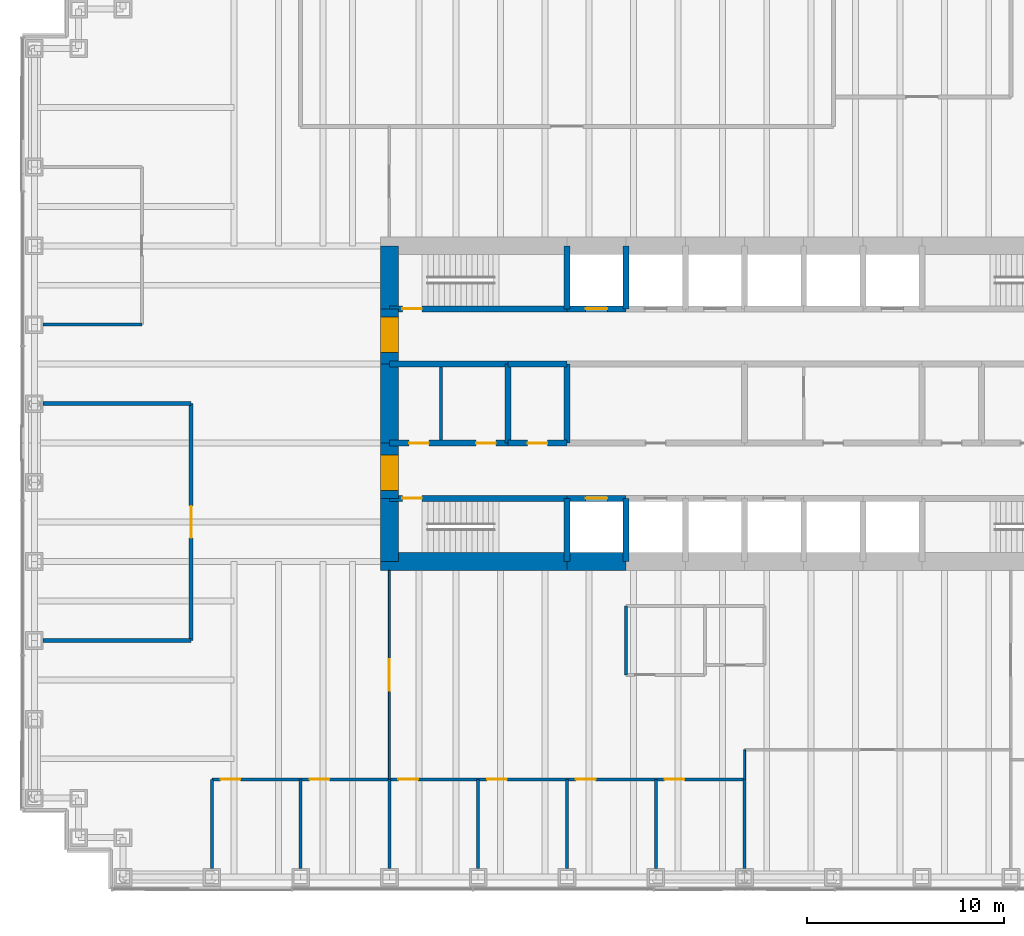
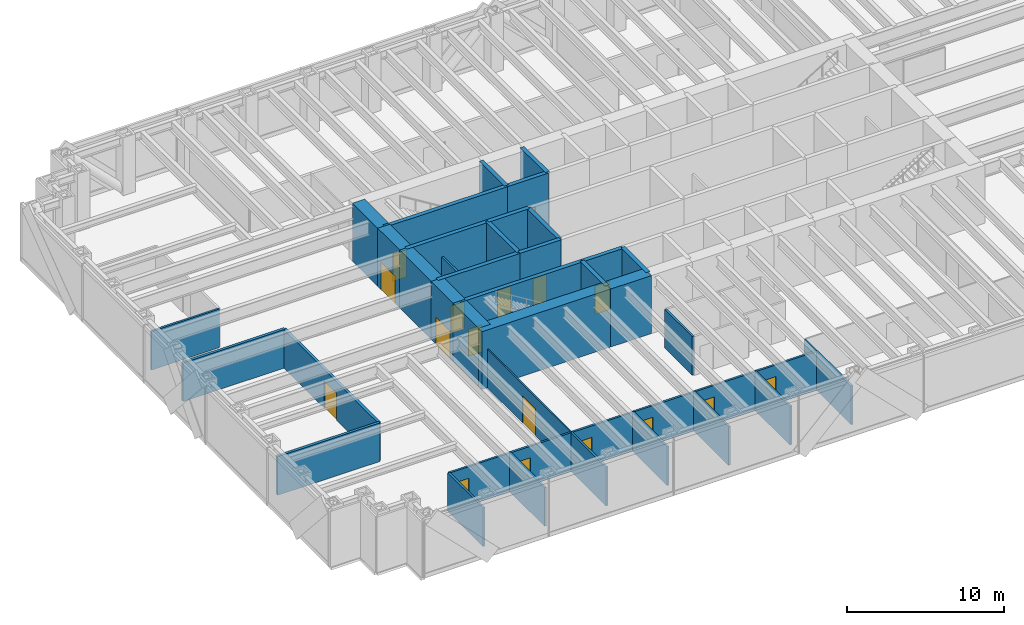
# One storey, part 9 of 13: 37 walls, 17 doors, 17 openings.
"""IFC4 building model written with IfcOpenShell, lengths in metres."""

from ifc_helpers import new_model, si_unit, direction, frame, frame_2d, origin, place, context, subcontext, project, spatial, rectangle, extrude, material, layer, layer_set, type_object, element, fill, save


model = new_model("IFC4")

# Units and contexts
model_context = context("Model", 3, precision=1e-05, world=origin(), true_north=direction((0.0, 1.0)))
body_context = subcontext(model_context, "Body", "Model", "MODEL_VIEW")
ifc_project = project(units=[si_unit("LENGTHUNIT", "METRE"), si_unit("AREAUNIT", "SQUARE_METRE"), si_unit("VOLUMEUNIT", "CUBIC_METRE"), si_unit("PLANEANGLEUNIT", "RADIAN"), si_unit("MASSUNIT", "GRAM", prefix="KILO")], contexts=[model_context])

# Site, building, storey
site_placement = place(None, origin())
site = spatial("IfcSite", under=ifc_project, at=site_placement, CompositionType="ELEMENT")
building_placement = place(site_placement, origin())
building = spatial("IfcBuilding", under=site, at=building_placement, Name="Rheinbord Bourse Tower", CompositionType="ELEMENT")
storey_placement = place(building_placement, frame((0.0, 0.0, 59.0)))
storey = spatial("IfcBuildingStorey", under=building, at=storey_placement, Name="L12", CompositionType="ELEMENT", Elevation=59.0)

# Walls
ifc_material_1 = material(Name="Acoustic gypsum board partition", Category="gypsum board")
ifc_layer_1 = layer(ifc_material_1, 0.199951171875)
ifc_layer_set_1 = layer_set([ifc_layer_1], Name="ACOUSTIC PARTITION 200")
wall_type_1 = type_object("IfcWallType", Name="ACOUSTIC PARTITION 200", PredefinedType="PARTITIONING", material=ifc_layer_set_1)
for number, where, z_axis, x_axis, name in (
    (1, (0.449951171875, 12.0, 0.0), (0.0, 0.0, 1.0), (1.0, 0.0, 0.0), "Partition L12-07"),
    (2, (0.449951171875, 24.0, 0.0), (0.0, 0.0, 1.0), (1.0, 0.0, 0.0), "Partition L12-12"),
):
    element("IfcWall", number, at=place(storey_placement, frame(where, z_axis=z_axis, x_axis=x_axis)), inside=storey, type_object=wall_type_1, Name=name, PredefinedType="PARTITIONING", context=body_context, shape_type="SweptSolid", body=[
        extrude(rectangle(XDim=7.5, YDim=0.199951171875, at=frame_2d((3.75, 0.0))), origin(), (0.0, 0.0, 1.0), 3.0),
    ])

# Wall, opening, door
wall_1_placement = place(storey_placement, frame((7.949951171875, 12.0, 0.0), z_axis=(0.0, 0.0, 1.0), x_axis=(0.0, 1.0, 0.0)))
wall_1 = element("IfcWall", 3, at=wall_1_placement, inside=storey, type_object=wall_type_1, Name="Partition L12-21", PredefinedType="PARTITIONING", context=body_context, shape_type="SweptSolid", body=[
    extrude(rectangle(XDim=12.0, YDim=0.199951171875, at=frame_2d((6.0, 0.0))), origin(), (0.0, 0.0, 1.0), 3.0),
])
opening_1_placement = place(wall_1_placement, frame((5.199951171875, 0.0, 0.0)))
opening_1 = element("IfcOpeningElement", 4, at=opening_1_placement, cuts=wall_1, Name="Opening 12D12", PredefinedType="OPENING", context=body_context, shape_type="SweptSolid", body=[
    extrude(rectangle(XDim=1.60009765625, YDim=2.10009765625, at=frame_2d((0.800048828125, 1.050048828125))), frame((0.0, 0.10986328125, 0.0), z_axis=(0.0, -1.0, 0.0), x_axis=(1.0, 0.0, 0.0)), (0.0, 0.0, 1.0), 0.219970703125),
])
ifc_material_2 = material(Name="Timber door", Category="wood")
door_type_1 = type_object("IfcDoorType", Name="DOUBLE ROOM DOOR 1600", OperationType="DOUBLE_DOOR_DOUBLE_SWING", PredefinedType="DOOR", material=ifc_material_2)
door_1_placement = place(opening_1_placement, origin())
door_1 = element("IfcDoor", 5, at=door_1_placement, inside=storey, type_object=door_type_1, Name="Settlement control room door L12", OperationType="SINGLE_SWING_LEFT", OverallHeight=2.10009765625, OverallWidth=1.60009765625, PredefinedType="DOOR", context=body_context, shape_type="SweptSolid", body=[
    extrude(rectangle(XDim=1.60009765625, YDim=2.10009765625, at=frame_2d((0.800048828125, 1.050048828125))), frame((0.0, 0.02490234375, 0.0), z_axis=(0.0, -1.0, 0.0), x_axis=(1.0, 0.0, 0.0)), (0.0, 0.0, 1.0), 0.050048828125),
])
fill(opening_1, door_1)

ifc_material_3 = material(Name="Concrete C50/60", Category="concrete")
ifc_layer_2 = layer(ifc_material_3, 0.300048828125)
ifc_layer_set_2 = layer_set([ifc_layer_2], Name="CORE INNER WALL 300")
wall_type_2 = type_object("IfcWallType", Name="CORE INNER WALL 300", PredefinedType="SOLIDWALL", material=ifc_layer_set_2)
wall_2_placement = place(storey_placement, frame((18.0, 19.199951171875, 0.0), z_axis=(0.0, 0.0, 1.0), x_axis=(1.0, 0.0, 0.0)))
wall_2 = element("IfcWall", 6, at=wall_2_placement, inside=storey, type_object=wall_type_2, Name="Core wall A1 L12", PredefinedType="SOLIDWALL", context=body_context, shape_type="SweptSolid", body=[
    extrude(rectangle(XDim=9.0, YDim=0.300048828125, at=frame_2d((4.5, 0.0))), origin(), (0.0, 0.0, 1.0), 4.5),
])
opening_2_placement = place(wall_2_placement, frame((0.64990234375, 0.0, 0.0)))
opening_2 = element("IfcOpeningElement", 7, at=opening_2_placement, cuts=wall_2, Name="Opening 1210", PredefinedType="OPENING", context=body_context, shape_type="SweptSolid", body=[
    extrude(rectangle(XDim=1.0, YDim=2.10009765625, at=frame_2d((0.5, 1.050048828125))), frame((0.0, 0.159912109375, 0.0), z_axis=(0.0, -1.0, 0.0), x_axis=(1.0, 0.0, 0.0)), (0.0, 0.0, 1.0), 0.320068359375),
])
ifc_material_4 = material(Name="Steel door", Category="steel")
door_type_2 = type_object("IfcDoorType", Name="DOOR 1000 EI30", OperationType="SINGLE_SWING_LEFT", PredefinedType="DOOR", material=ifc_material_4)
door_2_placement = place(opening_2_placement, origin())
door_2 = element("IfcDoor", 8, at=door_2_placement, inside=storey, type_object=door_type_2, Name="Stair door ST1 L12", OperationType="SINGLE_SWING_LEFT", OverallHeight=2.10009765625, OverallWidth=1.0, PredefinedType="DOOR", context=body_context, shape_type="SweptSolid", body=[
    extrude(rectangle(XDim=1.0, YDim=2.10009765625, at=frame_2d((0.5, 1.050048828125))), frame((0.0, 0.02490234375, 0.0), z_axis=(0.0, -1.0, 0.0), x_axis=(1.0, 0.0, 0.0)), (0.0, 0.0, 1.0), 0.050048828125),
])
fill(opening_2, door_2)

wall_3_placement = place(storey_placement, frame((27.0, 19.199951171875, 0.0), z_axis=(0.0, 0.0, 1.0), x_axis=(1.0, 0.0, 0.0)))
wall_3 = element("IfcWall", 9, at=wall_3_placement, inside=storey, type_object=wall_type_2, Name="Core wall A2 L12", PredefinedType="SOLIDWALL", context=body_context, shape_type="SweptSolid", body=[
    extrude(rectangle(XDim=3.0, YDim=0.300048828125, at=frame_2d((1.5, 0.0))), origin(), (0.0, 0.0, 1.0), 4.5),
])
opening_3_placement = place(wall_3_placement, frame((0.949951171875, 0.0, 0.0)))
opening_3 = element("IfcOpeningElement", 10, at=opening_3_placement, cuts=wall_3, Name="Opening FL1", PredefinedType="OPENING", context=body_context, shape_type="SweptSolid", body=[
    extrude(rectangle(XDim=1.10009765625, YDim=2.199951171875, at=frame_2d((0.550048828125, 1.10009765625))), frame((0.0, 0.159912109375, 0.0), z_axis=(0.0, -1.0, 0.0), x_axis=(1.0, 0.0, 0.0)), (0.0, 0.0, 1.0), 0.320068359375),
])
ifc_material_5 = material(Name="Steel landing door", Category="steel")
door_type_3 = type_object("IfcDoorType", Name="LIFT LANDING DOOR 1100", OperationType="DOUBLE_DOOR_SLIDING", PredefinedType="USERDEFINED", material=ifc_material_5)
door_3_placement = place(opening_3_placement, origin())
door_3 = element("IfcDoor", 11, at=door_3_placement, inside=storey, type_object=door_type_3, Name="Lift landing door FL1 L12", ObjectType="LIFT LANDING DOOR", OperationType="DOUBLE_DOOR_SLIDING", OverallHeight=2.199951171875, OverallWidth=1.10009765625, PredefinedType="USERDEFINED", context=body_context, shape_type="SweptSolid", body=[
    extrude(rectangle(XDim=1.10009765625, YDim=2.199951171875, at=frame_2d((0.550048828125, 1.10009765625))), frame((0.0, 0.02490234375, 0.0), z_axis=(0.0, -1.0, 0.0), x_axis=(1.0, 0.0, 0.0)), (0.0, 0.0, 1.0), 0.050048828125),
])
fill(opening_3, door_3)

wall_4_placement = place(storey_placement, frame((18.0, 28.800048828125, 0.0), z_axis=(0.0, 0.0, 1.0), x_axis=(1.0, 0.0, 0.0)))
wall_4 = element("IfcWall", 12, at=wall_4_placement, inside=storey, type_object=wall_type_2, Name="Core wall B1 L12", PredefinedType="SOLIDWALL", context=body_context, shape_type="SweptSolid", body=[
    extrude(rectangle(XDim=9.0, YDim=0.300048828125, at=frame_2d((4.5, 0.0))), origin(), (0.0, 0.0, 1.0), 4.5),
])
opening_4_placement = place(wall_4_placement, frame((0.64990234375, 0.0, 0.0)))
opening_4 = element("IfcOpeningElement", 13, at=opening_4_placement, cuts=wall_4, Name="Opening 1220", PredefinedType="OPENING", context=body_context, shape_type="SweptSolid", body=[
    extrude(rectangle(XDim=1.0, YDim=2.10009765625, at=frame_2d((0.5, 1.050048828125))), frame((0.0, 0.159912109375, 0.0), z_axis=(0.0, -1.0, 0.0), x_axis=(1.0, 0.0, 0.0)), (0.0, 0.0, 1.0), 0.320068359375),
])
door_4_placement = place(opening_4_placement, origin())
door_4 = element("IfcDoor", 14, at=door_4_placement, inside=storey, type_object=door_type_2, Name="Stair door ST2 L12", OperationType="SINGLE_SWING_LEFT", OverallHeight=2.10009765625, OverallWidth=1.0, PredefinedType="DOOR", context=body_context, shape_type="SweptSolid", body=[
    extrude(rectangle(XDim=1.0, YDim=2.10009765625, at=frame_2d((0.5, 1.050048828125))), frame((0.0, 0.02490234375, 0.0), z_axis=(0.0, -1.0, 0.0), x_axis=(1.0, 0.0, 0.0)), (0.0, 0.0, 1.0), 0.050048828125),
])
fill(opening_4, door_4)

wall_5_placement = place(storey_placement, frame((27.0, 28.800048828125, 0.0), z_axis=(0.0, 0.0, 1.0), x_axis=(1.0, 0.0, 0.0)))
wall_5 = element("IfcWall", 15, at=wall_5_placement, inside=storey, type_object=wall_type_2, Name="Core wall B2 L12", PredefinedType="SOLIDWALL", context=body_context, shape_type="SweptSolid", body=[
    extrude(rectangle(XDim=3.0, YDim=0.300048828125, at=frame_2d((1.5, 0.0))), origin(), (0.0, 0.0, 1.0), 4.5),
])
opening_5_placement = place(wall_5_placement, frame((0.949951171875, 0.0, 0.0)))
opening_5 = element("IfcOpeningElement", 16, at=opening_5_placement, cuts=wall_5, Name="Opening GL1", PredefinedType="OPENING", context=body_context, shape_type="SweptSolid", body=[
    extrude(rectangle(XDim=1.10009765625, YDim=2.199951171875, at=frame_2d((0.550048828125, 1.10009765625))), frame((0.0, 0.159912109375, 0.0), z_axis=(0.0, -1.0, 0.0), x_axis=(1.0, 0.0, 0.0)), (0.0, 0.0, 1.0), 0.320068359375),
])
door_5_placement = place(opening_5_placement, origin())
door_5 = element("IfcDoor", 17, at=door_5_placement, inside=storey, type_object=door_type_3, Name="Lift landing door GL1 L12", ObjectType="LIFT LANDING DOOR", OperationType="DOUBLE_DOOR_SLIDING", OverallHeight=2.199951171875, OverallWidth=1.10009765625, PredefinedType="USERDEFINED", context=body_context, shape_type="SweptSolid", body=[
    extrude(rectangle(XDim=1.10009765625, YDim=2.199951171875, at=frame_2d((0.550048828125, 1.10009765625))), frame((0.0, 0.02490234375, 0.0), z_axis=(0.0, -1.0, 0.0), x_axis=(1.0, 0.0, 0.0)), (0.0, 0.0, 1.0), 0.050048828125),
])
fill(opening_5, door_5)

# Wall, openings, doors
wall_6_placement = place(storey_placement, frame((18.0, 22.0, 0.0), z_axis=(0.0, 0.0, 1.0), x_axis=(1.0, 0.0, 0.0)))
wall_6 = element("IfcWall", 18, at=wall_6_placement, inside=storey, type_object=wall_type_2, Name="Core wall C1 L12", PredefinedType="SOLIDWALL", context=body_context, shape_type="SweptSolid", body=[
    extrude(rectangle(XDim=6.0, YDim=0.300048828125, at=frame_2d((3.0, 0.0))), origin(), (0.0, 0.0, 1.0), 4.5),
])
opening_6_placement = place(wall_6_placement, frame((4.39990234375, 0.0, 0.0)))
opening_6 = element("IfcOpeningElement", 19, at=opening_6_placement, cuts=wall_6, Name="Opening 12R1", PredefinedType="OPENING", context=body_context, shape_type="SweptSolid", body=[
    extrude(rectangle(XDim=1.0, YDim=2.10009765625, at=frame_2d((0.5, 1.050048828125))), frame((0.0, 0.159912109375, 0.0), z_axis=(0.0, -1.0, 0.0), x_axis=(1.0, 0.0, 0.0)), (0.0, 0.0, 1.0), 0.320068359375),
])
opening_7_placement = place(wall_6_placement, frame((1.0, 0.0, 0.0)))
opening_7 = element("IfcOpeningElement", 20, at=opening_7_placement, cuts=wall_6, Name="Opening 12R9", PredefinedType="OPENING", context=body_context, shape_type="SweptSolid", body=[
    extrude(rectangle(XDim=1.0, YDim=2.10009765625, at=frame_2d((0.5, 1.050048828125))), frame((0.0, 0.159912109375, 0.0), z_axis=(0.0, -1.0, 0.0), x_axis=(1.0, 0.0, 0.0)), (0.0, 0.0, 1.0), 0.320068359375),
])
door_6_placement = place(opening_7_placement, origin())
door_6 = element("IfcDoor", 21, at=door_6_placement, inside=storey, type_object=door_type_2, Name="Baby change door L12", OperationType="SINGLE_SWING_LEFT", OverallHeight=2.10009765625, OverallWidth=1.0, PredefinedType="DOOR", context=body_context, shape_type="SweptSolid", body=[
    extrude(rectangle(XDim=1.0, YDim=2.10009765625, at=frame_2d((0.5, 1.050048828125))), frame((0.0, 0.02490234375, 0.0), z_axis=(0.0, -1.0, 0.0), x_axis=(1.0, 0.0, 0.0)), (0.0, 0.0, 1.0), 0.050048828125),
])
fill(opening_7, door_6)
ifc_material_6 = material(Name="Timber door", Category="wood")
door_type_4 = type_object("IfcDoorType", Name="DOOR 1000 WC", OperationType="SINGLE_SWING_LEFT", PredefinedType="DOOR", material=ifc_material_6)
door_7_placement = place(opening_6_placement, origin())
door_7 = element("IfcDoor", 22, at=door_7_placement, inside=storey, type_object=door_type_4, Name="WC men door L12", OperationType="SINGLE_SWING_RIGHT", OverallHeight=2.10009765625, OverallWidth=1.0, PredefinedType="DOOR", context=body_context, shape_type="SweptSolid", body=[
    extrude(rectangle(XDim=1.0, YDim=2.10009765625, at=frame_2d((0.5, 1.050048828125))), frame((0.0, 0.02490234375, 0.0), z_axis=(0.0, -1.0, 0.0), x_axis=(1.0, 0.0, 0.0)), (0.0, 0.0, 1.0), 0.050048828125),
])
fill(opening_6, door_7)

# Wall, opening, door
wall_7_placement = place(storey_placement, frame((24.0, 22.0, 0.0), z_axis=(0.0, 0.0, 1.0), x_axis=(1.0, 0.0, 0.0)))
wall_7 = element("IfcWall", 23, at=wall_7_placement, inside=storey, type_object=wall_type_2, Name="Core wall C2 L12", PredefinedType="SOLIDWALL", context=body_context, shape_type="SweptSolid", body=[
    extrude(rectangle(XDim=3.0, YDim=0.300048828125, at=frame_2d((1.5, 0.0))), origin(), (0.0, 0.0, 1.0), 4.5),
])
opening_8_placement = place(wall_7_placement, frame((1.0, 0.0, 0.0)))
opening_8 = element("IfcOpeningElement", 24, at=opening_8_placement, cuts=wall_7, Name="Opening 12R2", PredefinedType="OPENING", context=body_context, shape_type="SweptSolid", body=[
    extrude(rectangle(XDim=1.0, YDim=2.10009765625, at=frame_2d((0.5, 1.050048828125))), frame((0.0, 0.159912109375, 0.0), z_axis=(0.0, -1.0, 0.0), x_axis=(1.0, 0.0, 0.0)), (0.0, 0.0, 1.0), 0.320068359375),
])
door_8_placement = place(opening_8_placement, origin())
door_8 = element("IfcDoor", 25, at=door_8_placement, inside=storey, type_object=door_type_4, Name="Accessible WC door L12", OperationType="SINGLE_SWING_LEFT", OverallHeight=2.10009765625, OverallWidth=1.0, PredefinedType="DOOR", context=body_context, shape_type="SweptSolid", body=[
    extrude(rectangle(XDim=1.0, YDim=2.10009765625, at=frame_2d((0.5, 1.050048828125))), frame((0.0, 0.02490234375, 0.0), z_axis=(0.0, -1.0, 0.0), x_axis=(1.0, 0.0, 0.0)), (0.0, 0.0, 1.0), 0.050048828125),
])
fill(opening_8, door_8)

# Walls
wall_8_placement = place(storey_placement, frame((18.0, 26.0, 0.0), z_axis=(0.0, 0.0, 1.0), x_axis=(1.0, 0.0, 0.0)))
element("IfcWall", 26, at=wall_8_placement, inside=storey, type_object=wall_type_2, Name="Core wall D1 L12", PredefinedType="SOLIDWALL", context=body_context, shape_type="SweptSolid", body=[
    extrude(rectangle(XDim=6.0, YDim=0.300048828125, at=frame_2d((3.0, 0.0))), origin(), (0.0, 0.0, 1.0), 4.5),
])
wall_9_placement = place(storey_placement, frame((24.0, 26.0, 0.0), z_axis=(0.0, 0.0, 1.0), x_axis=(1.0, 0.0, 0.0)))
element("IfcWall", 27, at=wall_9_placement, inside=storey, type_object=wall_type_2, Name="Core wall D2 L12", PredefinedType="SOLIDWALL", context=body_context, shape_type="SweptSolid", body=[
    extrude(rectangle(XDim=3.0, YDim=0.300048828125, at=frame_2d((1.5, 0.0))), origin(), (0.0, 0.0, 1.0), 4.5),
])
for number, where, z_axis, x_axis, name in (
    (28, (27.0, 16.0, 0.0), (0.0, 0.0, 1.0), (0.0, 1.0, 0.0), "Core wall SX27 L12"),
    (29, (27.0, 28.800048828125, 0.0), (0.0, 0.0, 1.0), (0.0, 1.0, 0.0), "Core wall NX27 L12"),
    (30, (30.0, 16.0, 0.0), (0.0, 0.0, 1.0), (0.0, 1.0, 0.0), "Core wall SX30 L12"),
    (31, (30.0, 28.800048828125, 0.0), (0.0, 0.0, 1.0), (0.0, 1.0, 0.0), "Core wall NX30 L12"),
):
    element("IfcWall", number, at=place(storey_placement, frame(where, z_axis=z_axis, x_axis=x_axis)), inside=storey, type_object=wall_type_2, Name=name, PredefinedType="SOLIDWALL", context=body_context, shape_type="SweptSolid", body=[
        extrude(rectangle(XDim=3.199951171875, YDim=0.300048828125, at=frame_2d((1.60009765625, 0.0))), origin(), (0.0, 0.0, 1.0), 4.5),
    ])
for number, where, z_axis, x_axis, name in (
    (32, (24.0, 22.0, 0.0), (0.0, 0.0, 1.0), (0.0, 1.0, 0.0), "Core wall MX24 L12"),
    (33, (27.0, 22.0, 0.0), (0.0, 0.0, 1.0), (0.0, 1.0, 0.0), "Core wall MX27 L12"),
):
    element("IfcWall", number, at=place(storey_placement, frame(where, z_axis=z_axis, x_axis=x_axis)), inside=storey, type_object=wall_type_2, Name=name, PredefinedType="SOLIDWALL", context=body_context, shape_type="SweptSolid", body=[
        extrude(rectangle(XDim=4.0, YDim=0.300048828125, at=frame_2d((2.0, 0.0))), origin(), (0.0, 0.0, 1.0), 4.5),
    ])
ifc_material_7 = material(Name="Gypsum board fire partition", Category="gypsum board")
ifc_layer_3 = layer(ifc_material_7, 0.14990234375)
ifc_layer_set_3 = layer_set([ifc_layer_3], Name="CORE PARTITION 150 EI30")
wall_type_3 = type_object("IfcWallType", Name="CORE PARTITION 150 EI30", PredefinedType="PARTITIONING", material=ifc_layer_set_3)
wall_10_placement = place(storey_placement, frame((20.625, 22.14990234375, 0.0), z_axis=(0.0, 0.0, 1.0), x_axis=(0.0, 1.0, 0.0)))
element("IfcWall", 34, at=wall_10_placement, inside=storey, type_object=wall_type_3, Name="Core partition L12-2", PredefinedType="PARTITIONING", context=body_context, shape_type="SweptSolid", body=[
    extrude(rectangle(XDim=3.7001953125, YDim=0.14990234375, at=frame_2d((1.85009765625, 0.0))), origin(), (0.0, 0.0, 1.0), 3.0),
])
ifc_material_8 = material(Name="Concrete C50/60", Category="concrete")
ifc_layer_4 = layer(ifc_material_8, 0.89990234375)
ifc_layer_set_4 = layer_set([ifc_layer_4], Name="CORE WALL 900")
wall_type_4 = type_object("IfcWallType", Name="CORE WALL 900", PredefinedType="SHEAR", material=ifc_layer_set_4)
wall_11_placement = place(storey_placement, frame((17.550048828125, 16.0, 0.0), z_axis=(0.0, 0.0, 1.0), x_axis=(1.0, 0.0, 0.0)))
element("IfcWall", 35, at=wall_11_placement, inside=storey, type_object=wall_type_4, Name="Core wall S1 L12", PredefinedType="SHEAR", context=body_context, shape_type="SweptSolid", body=[
    extrude(rectangle(XDim=9.449951171875, YDim=0.89990234375, at=frame_2d((4.72509765625, 0.0))), origin(), (0.0, 0.0, 1.0), 4.5),
])
wall_12_placement = place(storey_placement, frame((27.0, 16.0, 0.0), z_axis=(0.0, 0.0, 1.0), x_axis=(1.0, 0.0, 0.0)))
element("IfcWall", 36, at=wall_12_placement, inside=storey, type_object=wall_type_4, Name="Core wall S2 L12", PredefinedType="SHEAR", context=body_context, shape_type="SweptSolid", body=[
    extrude(rectangle(XDim=3.0, YDim=0.89990234375, at=frame_2d((1.5, 0.0))), origin(), (0.0, 0.0, 1.0), 4.5),
])
wall_13_placement = place(storey_placement, frame((18.0, 32.0, 0.0), z_axis=(0.0, 0.0, 1.0), x_axis=(0.0, -1.0, 0.0)))
element("IfcWall", 37, at=wall_13_placement, inside=storey, type_object=wall_type_4, Name="Core wall W1 L12", PredefinedType="SHEAR", context=body_context, shape_type="SweptSolid", body=[
    extrude(rectangle(XDim=3.199951171875, YDim=0.89990234375, at=frame_2d((1.60009765625, 0.0))), origin(), (0.0, 0.0, 1.0), 4.5),
])

# Wall, opening, door
wall_14_placement = place(storey_placement, frame((18.0, 28.800048828125, 0.0), z_axis=(0.0, 0.0, 1.0), x_axis=(0.0, -1.0, 0.0)))
wall_14 = element("IfcWall", 38, at=wall_14_placement, inside=storey, type_object=wall_type_4, Name="Core wall W2 L12", PredefinedType="SHEAR", context=body_context, shape_type="SweptSolid", body=[
    extrude(rectangle(XDim=2.800048828125, YDim=0.89990234375, at=frame_2d((1.39990234375, 0.0))), origin(), (0.0, 0.0, 1.0), 4.5),
])
opening_9_placement = place(wall_14_placement, frame((0.39990234375, 0.0, 0.0)))
opening_9 = element("IfcOpeningElement", 39, at=opening_9_placement, cuts=wall_14, Name="Opening 12L2", PredefinedType="OPENING", context=body_context, shape_type="SweptSolid", body=[
    extrude(rectangle(XDim=1.800048828125, YDim=2.10009765625, at=frame_2d((0.89990234375, 1.050048828125))), frame((0.0, 0.4599609375, 0.0), z_axis=(0.0, -1.0, 0.0), x_axis=(1.0, 0.0, 0.0)), (0.0, 0.0, 1.0), 0.919921875),
])
ifc_material_9 = material(Name="Steel door", Category="steel")
door_type_5 = type_object("IfcDoorType", Name="DOOR 1800 EI30 DOUBLE", OperationType="DOUBLE_DOOR_DOUBLE_SWING", PredefinedType="DOOR", material=ifc_material_9)
door_9_placement = place(opening_9_placement, origin())
door_9 = element("IfcDoor", 40, at=door_9_placement, inside=storey, type_object=door_type_5, Name="Lobby door 2 L12", OperationType="SINGLE_SWING_LEFT", OverallHeight=2.10009765625, OverallWidth=1.800048828125, PredefinedType="DOOR", context=body_context, shape_type="SweptSolid", body=[
    extrude(rectangle(XDim=1.800048828125, YDim=2.10009765625, at=frame_2d((0.89990234375, 1.050048828125))), frame((0.0, 0.44970703125, 0.0), z_axis=(0.0, -1.0, 0.0), x_axis=(1.0, 0.0, 0.0)), (0.0, 0.0, 1.0), 0.8994140625),
])
fill(opening_9, door_9)

# Wall
wall_15_placement = place(storey_placement, frame((18.0, 26.0, 0.0), z_axis=(0.0, 0.0, 1.0), x_axis=(0.0, -1.0, 0.0)))
element("IfcWall", 41, at=wall_15_placement, inside=storey, type_object=wall_type_4, Name="Core wall W3 L12", PredefinedType="SHEAR", context=body_context, shape_type="SweptSolid", body=[
    extrude(rectangle(XDim=4.0, YDim=0.89990234375, at=frame_2d((2.0, 0.0))), origin(), (0.0, 0.0, 1.0), 4.5),
])

# Wall, opening, door
wall_16_placement = place(storey_placement, frame((18.0, 22.0, 0.0), z_axis=(0.0, 0.0, 1.0), x_axis=(0.0, -1.0, 0.0)))
wall_16 = element("IfcWall", 42, at=wall_16_placement, inside=storey, type_object=wall_type_4, Name="Core wall W4 L12", PredefinedType="SHEAR", context=body_context, shape_type="SweptSolid", body=[
    extrude(rectangle(XDim=2.800048828125, YDim=0.89990234375, at=frame_2d((1.39990234375, 0.0))), origin(), (0.0, 0.0, 1.0), 4.5),
])
opening_10_placement = place(wall_16_placement, frame((0.60009765625, 0.0, 0.0)))
opening_10 = element("IfcOpeningElement", 43, at=opening_10_placement, cuts=wall_16, Name="Opening 12L1", PredefinedType="OPENING", context=body_context, shape_type="SweptSolid", body=[
    extrude(rectangle(XDim=1.800048828125, YDim=2.10009765625, at=frame_2d((0.89990234375, 1.050048828125))), frame((0.0, 0.4599609375, 0.0), z_axis=(0.0, -1.0, 0.0), x_axis=(1.0, 0.0, 0.0)), (0.0, 0.0, 1.0), 0.919921875),
])
door_10_placement = place(opening_10_placement, origin())
door_10 = element("IfcDoor", 44, at=door_10_placement, inside=storey, type_object=door_type_5, Name="Lobby door 1 L12", OperationType="SINGLE_SWING_LEFT", OverallHeight=2.10009765625, OverallWidth=1.800048828125, PredefinedType="DOOR", context=body_context, shape_type="SweptSolid", body=[
    extrude(rectangle(XDim=1.800048828125, YDim=2.10009765625, at=frame_2d((0.89990234375, 1.050048828125))), frame((0.0, 0.44970703125, 0.0), z_axis=(0.0, -1.0, 0.0), x_axis=(1.0, 0.0, 0.0)), (0.0, 0.0, 1.0), 0.8994140625),
])
fill(opening_10, door_10)

# Walls
wall_17_placement = place(storey_placement, frame((18.0, 19.199951171875, 0.0), z_axis=(0.0, 0.0, 1.0), x_axis=(0.0, -1.0, 0.0)))
element("IfcWall", 45, at=wall_17_placement, inside=storey, type_object=wall_type_4, Name="Core wall W5 L12", PredefinedType="SHEAR", context=body_context, shape_type="SweptSolid", body=[
    extrude(rectangle(XDim=3.199951171875, YDim=0.89990234375, at=frame_2d((1.60009765625, 0.0))), origin(), (0.0, 0.0, 1.0), 4.5),
])
ifc_material_10 = material(Name="Gypsum board fire partition", Category="gypsum board")
ifc_layer_5 = layer(ifc_material_10, 0.14990234375)
ifc_layer_set_5 = layer_set([ifc_layer_5], Name="FIRE PARTITION 150 EI60")
wall_type_5 = type_object("IfcWallType", Name="FIRE PARTITION 150 EI60", PredefinedType="PARTITIONING", material=ifc_layer_set_5)
wall_18_placement = place(storey_placement, frame((0.449951171875, 28.0, 0.0), z_axis=(0.0, 0.0, 1.0), x_axis=(1.0, 0.0, 0.0)))
element("IfcWall", 46, at=wall_18_placement, inside=storey, type_object=wall_type_5, Name="Partition L12-13", PredefinedType="PARTITIONING", context=body_context, shape_type="SweptSolid", body=[
    extrude(rectangle(XDim=5.0, YDim=0.14990234375, at=frame_2d((2.5, 0.0))), origin(), (0.0, 0.0, 1.0), 3.0),
])
wall_19_placement = place(storey_placement, frame((30.0, 10.25, 0.0), z_axis=(0.0, 0.0, 1.0), x_axis=(0.0, 1.0, 0.0)))
element("IfcWall", 47, at=wall_19_placement, inside=storey, type_object=wall_type_5, Name="Partition L12-30", PredefinedType="PARTITIONING", context=body_context, shape_type="SweptSolid", body=[
    extrude(rectangle(XDim=3.5, YDim=0.14990234375, at=frame_2d((1.75, 0.0))), origin(), (0.0, 0.0, 1.0), 3.0),
])

# Wall, opening, door
ifc_material_11 = material(Name="Toughened laminated glass partition", Category="glass")
ifc_layer_6 = layer(ifc_material_11, 0.10009765625)
ifc_layer_set_6 = layer_set([ifc_layer_6], Name="GLAZED PARTITION 100")
wall_type_6 = type_object("IfcWallType", Name="GLAZED PARTITION 100", PredefinedType="PARTITIONING", material=ifc_layer_set_6)
wall_20_placement = place(storey_placement, frame((18.0, 4.949951171875, 0.0), z_axis=(0.0, 0.0, 1.0), x_axis=(0.0, 1.0, 0.0)))
wall_20 = element("IfcWall", 48, at=wall_20_placement, inside=storey, type_object=wall_type_6, Name="Partition L12-26", PredefinedType="PARTITIONING", context=body_context, shape_type="SweptSolid", body=[
    extrude(rectangle(XDim=10.60009765625, YDim=0.10009765625, at=frame_2d((5.300048828125, 0.0))), origin(), (0.0, 0.0, 1.0), 3.0),
])
opening_11_placement = place(wall_20_placement, frame((4.5, 0.0, 0.0)))
opening_11 = element("IfcOpeningElement", 49, at=opening_11_placement, cuts=wall_20, Name="Opening 12D18", PredefinedType="OPENING", context=body_context, shape_type="SweptSolid", body=[
    extrude(rectangle(XDim=1.60009765625, YDim=2.10009765625, at=frame_2d((0.800048828125, 1.050048828125))), frame((0.0, 0.06005859375, 0.0), z_axis=(0.0, -1.0, 0.0), x_axis=(1.0, 0.0, 0.0)), (0.0, 0.0, 1.0), 0.1201171875),
])
door_11_placement = place(opening_11_placement, origin())
door_11 = element("IfcDoor", 50, at=door_11_placement, inside=storey, type_object=door_type_1, Name="Open area door L12", OperationType="SINGLE_SWING_LEFT", OverallHeight=2.10009765625, OverallWidth=1.60009765625, PredefinedType="DOOR", context=body_context, shape_type="SweptSolid", body=[
    extrude(rectangle(XDim=1.60009765625, YDim=2.10009765625, at=frame_2d((0.800048828125, 1.050048828125))), frame((0.0, 0.02490234375, 0.0), z_axis=(0.0, -1.0, 0.0), x_axis=(1.0, 0.0, 0.0)), (0.0, 0.0, 1.0), 0.050048828125),
])
fill(opening_11, door_11)

# Wall
wall_21_placement = place(storey_placement, frame((36.0, 4.949951171875, 0.0), z_axis=(0.0, 0.0, 1.0), x_axis=(0.0, 1.0, 0.0)))
element("IfcWall", 51, at=wall_21_placement, inside=storey, type_object=wall_type_6, Name="Partition L12-34", PredefinedType="PARTITIONING", context=body_context, shape_type="SweptSolid", body=[
    extrude(rectangle(XDim=1.5, YDim=0.10009765625, at=frame_2d((0.75, 0.0))), origin(), (0.0, 0.0, 1.0), 3.0),
])

# Wall, openings, doors
ifc_material_12 = material(Name="Gypsum board partition", Category="gypsum board")
ifc_layer_7 = layer(ifc_material_12, 0.14990234375)
ifc_layer_set_7 = layer_set([ifc_layer_7], Name="PARTITION 150")
wall_type_7 = type_object("IfcWallType", Name="PARTITION 150", PredefinedType="PARTITIONING", material=ifc_layer_set_7)
wall_22_placement = place(storey_placement, frame((9.0, 4.949951171875, 0.0), z_axis=(0.0, 0.0, 1.0), x_axis=(1.0, 0.0, 0.0)))
wall_22 = element("IfcWall", 52, at=wall_22_placement, inside=storey, type_object=wall_type_7, Name="Partition L12-01", PredefinedType="PARTITIONING", context=body_context, shape_type="SweptSolid", body=[
    extrude(rectangle(XDim=27.0, YDim=0.14990234375, at=frame_2d((13.5, 0.0))), origin(), (0.0, 0.0, 1.0), 3.0),
])
opening_12_placement = place(wall_22_placement, frame((0.449951171875, 0.0, 0.0)))
opening_12 = element("IfcOpeningElement", 53, at=opening_12_placement, cuts=wall_22, Name="Opening 12D01", PredefinedType="OPENING", context=body_context, shape_type="SweptSolid", body=[
    extrude(rectangle(XDim=1.0, YDim=2.10009765625, at=frame_2d((0.5, 1.050048828125))), frame((0.0, 0.0849609375, 0.0), z_axis=(0.0, -1.0, 0.0), x_axis=(1.0, 0.0, 0.0)), (0.0, 0.0, 1.0), 0.169921875),
])
opening_13_placement = place(wall_22_placement, frame((4.949951171875, 0.0, 0.0)))
opening_13 = element("IfcOpeningElement", 54, at=opening_13_placement, cuts=wall_22, Name="Opening 12D02", PredefinedType="OPENING", context=body_context, shape_type="SweptSolid", body=[
    extrude(rectangle(XDim=1.0, YDim=2.10009765625, at=frame_2d((0.5, 1.050048828125))), frame((0.0, 0.0849609375, 0.0), z_axis=(0.0, -1.0, 0.0), x_axis=(1.0, 0.0, 0.0)), (0.0, 0.0, 1.0), 0.169921875),
])
opening_14_placement = place(wall_22_placement, frame((9.449951171875, 0.0, 0.0)))
opening_14 = element("IfcOpeningElement", 55, at=opening_14_placement, cuts=wall_22, Name="Opening 12D03", PredefinedType="OPENING", context=body_context, shape_type="SweptSolid", body=[
    extrude(rectangle(XDim=1.0, YDim=2.10009765625, at=frame_2d((0.5, 1.050048828125))), frame((0.0, 0.0849609375, 0.0), z_axis=(0.0, -1.0, 0.0), x_axis=(1.0, 0.0, 0.0)), (0.0, 0.0, 1.0), 0.169921875),
])
opening_15_placement = place(wall_22_placement, frame((13.949951171875, 0.0, 0.0)))
opening_15 = element("IfcOpeningElement", 56, at=opening_15_placement, cuts=wall_22, Name="Opening 12D04", PredefinedType="OPENING", context=body_context, shape_type="SweptSolid", body=[
    extrude(rectangle(XDim=1.0, YDim=2.10009765625, at=frame_2d((0.5, 1.050048828125))), frame((0.0, 0.0849609375, 0.0), z_axis=(0.0, -1.0, 0.0), x_axis=(1.0, 0.0, 0.0)), (0.0, 0.0, 1.0), 0.169921875),
])
opening_16_placement = place(wall_22_placement, frame((18.449951171875, 0.0, 0.0)))
opening_16 = element("IfcOpeningElement", 57, at=opening_16_placement, cuts=wall_22, Name="Opening 12D05", PredefinedType="OPENING", context=body_context, shape_type="SweptSolid", body=[
    extrude(rectangle(XDim=1.0, YDim=2.10009765625, at=frame_2d((0.5, 1.050048828125))), frame((0.0, 0.0849609375, 0.0), z_axis=(0.0, -1.0, 0.0), x_axis=(1.0, 0.0, 0.0)), (0.0, 0.0, 1.0), 0.169921875),
])
opening_17_placement = place(wall_22_placement, frame((22.949951171875, 0.0, 0.0)))
opening_17 = element("IfcOpeningElement", 58, at=opening_17_placement, cuts=wall_22, Name="Opening 12D06", PredefinedType="OPENING", context=body_context, shape_type="SweptSolid", body=[
    extrude(rectangle(XDim=1.0, YDim=2.10009765625, at=frame_2d((0.5, 1.050048828125))), frame((0.0, 0.0849609375, 0.0), z_axis=(0.0, -1.0, 0.0), x_axis=(1.0, 0.0, 0.0)), (0.0, 0.0, 1.0), 0.169921875),
])
ifc_material_13 = material(Name="Timber door", Category="wood")
door_type_6 = type_object("IfcDoorType", Name="ROOM DOOR 1000", OperationType="SINGLE_SWING_LEFT", PredefinedType="DOOR", material=ifc_material_13)
door_12_placement = place(opening_12_placement, origin())
door_12 = element("IfcDoor", 59, at=door_12_placement, inside=storey, type_object=door_type_6, Name="Office door L12", OperationType="SINGLE_SWING_LEFT", OverallHeight=2.10009765625, OverallWidth=1.0, PredefinedType="DOOR", context=body_context, shape_type="SweptSolid", body=[
    extrude(rectangle(XDim=1.0, YDim=2.10009765625, at=frame_2d((0.5, 1.050048828125))), frame((0.0, 0.02490234375, 0.0), z_axis=(0.0, -1.0, 0.0), x_axis=(1.0, 0.0, 0.0)), (0.0, 0.0, 1.0), 0.050048828125),
])
fill(opening_12, door_12)
door_13_placement = place(opening_13_placement, origin())
door_13 = element("IfcDoor", 60, at=door_13_placement, inside=storey, type_object=door_type_6, Name="Office door L12", OperationType="SINGLE_SWING_LEFT", OverallHeight=2.10009765625, OverallWidth=1.0, PredefinedType="DOOR", context=body_context, shape_type="SweptSolid", body=[
    extrude(rectangle(XDim=1.0, YDim=2.10009765625, at=frame_2d((0.5, 1.050048828125))), frame((0.0, 0.02490234375, 0.0), z_axis=(0.0, -1.0, 0.0), x_axis=(1.0, 0.0, 0.0)), (0.0, 0.0, 1.0), 0.050048828125),
])
fill(opening_13, door_13)
door_14_placement = place(opening_14_placement, origin())
door_14 = element("IfcDoor", 61, at=door_14_placement, inside=storey, type_object=door_type_6, Name="Office door L12", OperationType="SINGLE_SWING_LEFT", OverallHeight=2.10009765625, OverallWidth=1.0, PredefinedType="DOOR", context=body_context, shape_type="SweptSolid", body=[
    extrude(rectangle(XDim=1.0, YDim=2.10009765625, at=frame_2d((0.5, 1.050048828125))), frame((0.0, 0.02490234375, 0.0), z_axis=(0.0, -1.0, 0.0), x_axis=(1.0, 0.0, 0.0)), (0.0, 0.0, 1.0), 0.050048828125),
])
fill(opening_14, door_14)
door_15_placement = place(opening_15_placement, origin())
door_15 = element("IfcDoor", 62, at=door_15_placement, inside=storey, type_object=door_type_6, Name="Office door L12", OperationType="SINGLE_SWING_RIGHT", OverallHeight=2.10009765625, OverallWidth=1.0, PredefinedType="DOOR", context=body_context, shape_type="SweptSolid", body=[
    extrude(rectangle(XDim=1.0, YDim=2.10009765625, at=frame_2d((0.5, 1.050048828125))), frame((0.0, 0.02490234375, 0.0), z_axis=(0.0, -1.0, 0.0), x_axis=(1.0, 0.0, 0.0)), (0.0, 0.0, 1.0), 0.050048828125),
])
fill(opening_15, door_15)
door_16_placement = place(opening_16_placement, origin())
door_16 = element("IfcDoor", 63, at=door_16_placement, inside=storey, type_object=door_type_6, Name="Office door L12", OperationType="SINGLE_SWING_RIGHT", OverallHeight=2.10009765625, OverallWidth=1.0, PredefinedType="DOOR", context=body_context, shape_type="SweptSolid", body=[
    extrude(rectangle(XDim=1.0, YDim=2.10009765625, at=frame_2d((0.5, 1.050048828125))), frame((0.0, 0.02490234375, 0.0), z_axis=(0.0, -1.0, 0.0), x_axis=(1.0, 0.0, 0.0)), (0.0, 0.0, 1.0), 0.050048828125),
])
fill(opening_16, door_16)
door_17_placement = place(opening_17_placement, origin())
door_17 = element("IfcDoor", 64, at=door_17_placement, inside=storey, type_object=door_type_6, Name="Office door L12", OperationType="SINGLE_SWING_RIGHT", OverallHeight=2.10009765625, OverallWidth=1.0, PredefinedType="DOOR", context=body_context, shape_type="SweptSolid", body=[
    extrude(rectangle(XDim=1.0, YDim=2.10009765625, at=frame_2d((0.5, 1.050048828125))), frame((0.0, 0.02490234375, 0.0), z_axis=(0.0, -1.0, 0.0), x_axis=(1.0, 0.0, 0.0)), (0.0, 0.0, 1.0), 0.050048828125),
])
fill(opening_17, door_17)

# Walls
for number, where, z_axis, x_axis, name in (
    (65, (9.0, 0.449951171875, 0.0), (0.0, 0.0, 1.0), (0.0, 1.0, 0.0), "Partition L12-22"),
    (66, (13.5, 0.449951171875, 0.0), (0.0, 0.0, 1.0), (0.0, 1.0, 0.0), "Partition L12-23"),
    (67, (18.0, 0.449951171875, 0.0), (0.0, 0.0, 1.0), (0.0, 1.0, 0.0), "Partition L12-25"),
    (68, (22.5, 0.449951171875, 0.0), (0.0, 0.0, 1.0), (0.0, 1.0, 0.0), "Partition L12-28"),
    (69, (27.0, 0.449951171875, 0.0), (0.0, 0.0, 1.0), (0.0, 1.0, 0.0), "Partition L12-29"),
    (70, (31.5, 0.449951171875, 0.0), (0.0, 0.0, 1.0), (0.0, 1.0, 0.0), "Partition L12-31"),
    (71, (36.0, 0.449951171875, 0.0), (0.0, 0.0, 1.0), (0.0, 1.0, 0.0), "Partition L12-33"),
):
    element("IfcWall", number, at=place(storey_placement, frame(where, z_axis=z_axis, x_axis=x_axis)), inside=storey, type_object=wall_type_7, Name=name, PredefinedType="PARTITIONING", context=body_context, shape_type="SweptSolid", body=[
        extrude(rectangle(XDim=4.5, YDim=0.14990234375, at=frame_2d((2.25, 0.0))), origin(), (0.0, 0.0, 1.0), 3.0),
    ])

save(model, "model.ifc")
